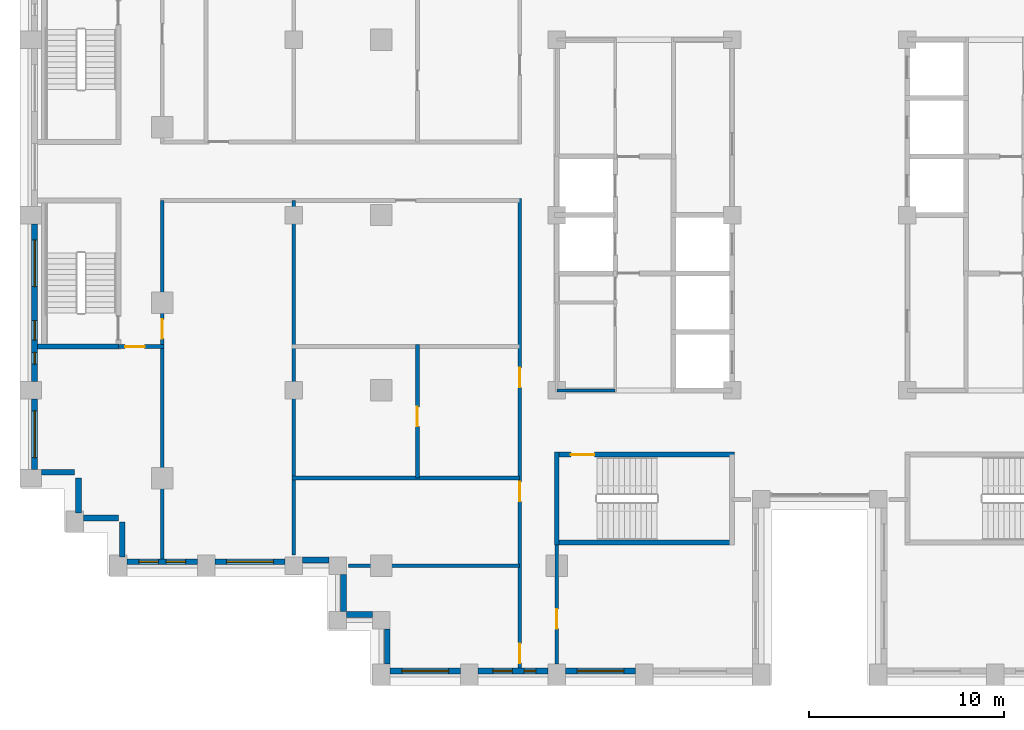
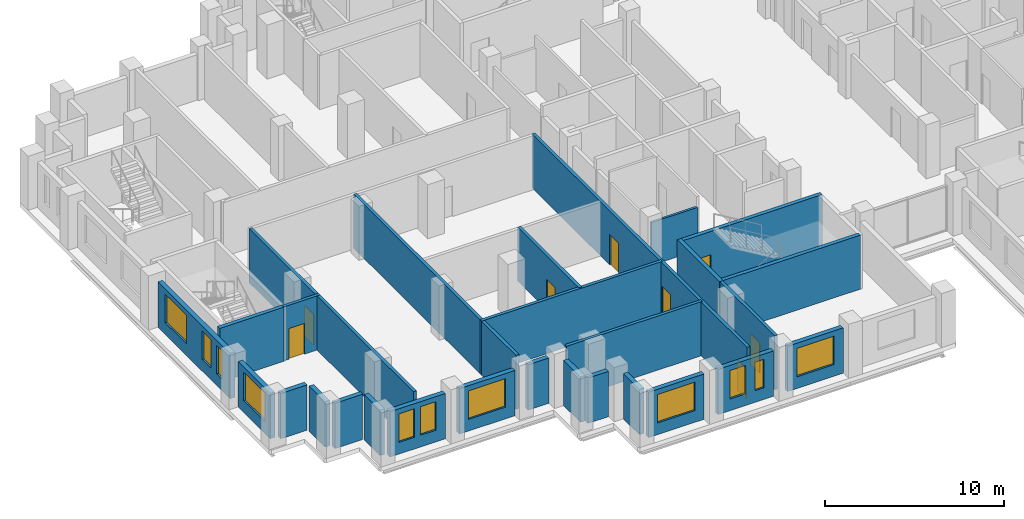
# One storey, part 6 of 15: 28 walls, 11 windows, 8 doors, 19 openings.
"""IFC4 building model written with IfcOpenShell, lengths in metres."""

from ifc_helpers import new_model, si_unit, direction, frame, frame_2d, origin, place, context, subcontext, project, spatial, rectangle, extrude, material, layer, layer_set, type_object, element, fill, save


model = new_model("IFC4")

# Units and contexts
model_context = context("Model", 3, precision=1e-05, world=origin(), true_north=direction((0.0, 1.0)))
body_context = subcontext(model_context, "Body", "Model", "MODEL_VIEW")
ifc_project = project(units=[si_unit("LENGTHUNIT", "METRE"), si_unit("AREAUNIT", "SQUARE_METRE"), si_unit("VOLUMEUNIT", "CUBIC_METRE"), si_unit("PLANEANGLEUNIT", "RADIAN"), si_unit("MASSUNIT", "GRAM", prefix="KILO")], contexts=[model_context])

# Site, building, storey
site_placement = place(None, origin())
site = spatial("IfcSite", under=ifc_project, at=site_placement, CompositionType="ELEMENT")
building_placement = place(site_placement, origin())
building = spatial("IfcBuilding", under=site, at=building_placement, Name="Corbelhall Arena Tower", CompositionType="ELEMENT")
storey_placement = place(building_placement, frame((0.0, 0.0, 166.0)))
storey = spatial("IfcBuildingStorey", under=building, at=storey_placement, Name="L33", CompositionType="ELEMENT", Elevation=166.0)

# Walls
ifc_material_1 = material(Name="Precast concrete C40/50 with granite facing", Category="masonry")
ifc_layer_1 = layer(ifc_material_1, 0.300048828125)
ifc_layer_set_1 = layer_set([ifc_layer_1], Name="EV-IW1 Infill panel 300")
wall_type_1 = type_object("IfcWallType", Name="EV-IW1 Infill panel 300", PredefinedType="SOLIDWALL", material=ifc_layer_set_1)
wall_1_placement = place(storey_placement, frame((-39.949951171875, -13.199951171875, 0.0), z_axis=(0.0, 0.0, 1.0), x_axis=(1.0, 0.0, 0.0)))
element("IfcWall", 1, at=wall_1_placement, inside=storey, type_object=wall_type_1, Name="Infill panel IW1", PredefinedType="SOLIDWALL", context=body_context, shape_type="SweptSolid", body=[
    extrude(rectangle(XDim=1.699951171875, YDim=0.300048828125, at=frame_2d((0.85009765625, 0.0))), origin(), (0.0, 0.0, 1.0), 3.10009765625),
])
for number, where, z_axis, x_axis, name in (
    (2, (-38.050048828125, -15.300048828125, 0.0), (0.0, 0.0, 1.0), (0.0, 1.0, 0.0), "Infill panel IW1"),
    (3, (-37.800048828125, -15.550048828125, 0.0), (0.0, 0.0, 1.0), (1.0, 0.0, 0.0), "Infill panel IW1"),
    (4, (-35.800048828125, -17.550048828125, 0.0), (0.0, 0.0, 1.0), (0.0, 1.0, 0.0), "Infill panel IW1"),
):
    element("IfcWall", number, at=place(storey_placement, frame(where, z_axis=z_axis, x_axis=x_axis)), inside=storey, type_object=wall_type_1, Name=name, PredefinedType="SOLIDWALL", context=body_context, shape_type="SweptSolid", body=[
        extrude(rectangle(XDim=1.800048828125, YDim=0.300048828125, at=frame_2d((0.89990234375, 0.0))), origin(), (0.0, 0.0, 1.0), 3.10009765625),
    ])

# Wall, openings, windows
wall_2_placement = place(storey_placement, frame((-40.300048828125, -0.449951171875, 0.0), z_axis=(0.0, 0.0, 1.0), x_axis=(0.0, -1.0, 0.0)))
wall_2 = element("IfcWall", 5, at=wall_2_placement, inside=storey, type_object=wall_type_1, Name="Infill panel IW1", PredefinedType="SOLIDWALL", context=body_context, shape_type="SweptSolid", body=[
    extrude(rectangle(XDim=8.10009765625, YDim=0.300048828125, at=frame_2d((4.050048828125, 0.0))), origin(), (0.0, 0.0, 1.0), 3.10009765625),
])
opening_1_placement = place(wall_2_placement, frame((0.824951171875, 0.0, 0.800048828125)))
opening_1 = element("IfcOpeningElement", 6, at=opening_1_placement, cuts=wall_2, Name="Opening WN1", PredefinedType="OPENING", context=body_context, shape_type="SweptSolid", body=[
    extrude(rectangle(XDim=2.39990234375, YDim=1.949951171875, at=frame_2d((1.199951171875, 0.97509765625))), frame((0.0, 0.14990234375, 0.0), z_axis=(0.0, -1.0, 0.0), x_axis=(1.0, 0.0, 0.0)), (0.0, 0.0, 1.0), 0.300048828125),
])
opening_2_placement = place(wall_2_placement, frame((4.97509765625, 0.0, 0.800048828125)))
opening_2 = element("IfcOpeningElement", 7, at=opening_2_placement, cuts=wall_2, Name="Opening WN6", PredefinedType="OPENING", context=body_context, shape_type="SweptSolid", body=[
    extrude(rectangle(XDim=1.0, YDim=1.949951171875, at=frame_2d((0.5, 0.97509765625))), frame((0.0, 0.14990234375, 0.0), z_axis=(0.0, -1.0, 0.0), x_axis=(1.0, 0.0, 0.0)), (0.0, 0.0, 1.0), 0.300048828125),
])
opening_3_placement = place(wall_2_placement, frame((6.60009765625, 0.0, 0.800048828125)))
opening_3 = element("IfcOpeningElement", 8, at=opening_3_placement, cuts=wall_2, Name="Opening WN5", PredefinedType="OPENING", context=body_context, shape_type="SweptSolid", body=[
    extrude(rectangle(XDim=0.60009765625, YDim=1.949951171875, at=frame_2d((0.300048828125, 0.97509765625))), frame((0.0, 0.14990234375, 0.0), z_axis=(0.0, -1.0, 0.0), x_axis=(1.0, 0.0, 0.0)), (0.0, 0.0, 1.0), 0.300048828125),
])
ifc_material_2 = material(Name="Aluminium black anodised", Category="aluminium")
window_type_1 = type_object("IfcWindowType", Name="EV-WN1 Office window", PartitioningType="SINGLE_PANEL", PredefinedType="WINDOW", material=ifc_material_2)
window_1_placement = place(opening_1_placement, origin())
window_1 = element("IfcWindow", 9, at=window_1_placement, inside=storey, type_object=window_type_1, Name="Window WN1", OverallHeight=1.949951171875, OverallWidth=2.39990234375, PartitioningType="SINGLE_PANEL", PredefinedType="WINDOW", context=body_context, shape_type="SweptSolid", body=[
    extrude(rectangle(XDim=2.39990234375, YDim=1.949951171875, at=frame_2d((1.199951171875, 0.97509765625))), frame((0.0, 0.030029296875, 0.0), z_axis=(0.0, -1.0, 0.0), x_axis=(1.0, 0.0, 0.0)), (0.0, 0.0, 1.0), 0.06005859375),
])
fill(opening_1, window_1)
window_type_2 = type_object("IfcWindowType", Name="EV-WN5 Office window 600", PartitioningType="SINGLE_PANEL", PredefinedType="WINDOW", material=ifc_material_2)
window_2_placement = place(opening_3_placement, origin())
window_2 = element("IfcWindow", 10, at=window_2_placement, inside=storey, type_object=window_type_2, Name="Window WN5", OverallHeight=1.949951171875, OverallWidth=0.60009765625, PartitioningType="SINGLE_PANEL", PredefinedType="WINDOW", context=body_context, shape_type="SweptSolid", body=[
    extrude(rectangle(XDim=0.60009765625, YDim=1.949951171875, at=frame_2d((0.300048828125, 0.97509765625))), frame((0.0, 0.030029296875, 0.0), z_axis=(0.0, -1.0, 0.0), x_axis=(1.0, 0.0, 0.0)), (0.0, 0.0, 1.0), 0.06005859375),
])
fill(opening_3, window_2)
window_type_3 = type_object("IfcWindowType", Name="EV-WN6 Office window 1000", PartitioningType="SINGLE_PANEL", PredefinedType="WINDOW", material=ifc_material_2)
window_3_placement = place(opening_2_placement, origin())
window_3 = element("IfcWindow", 11, at=window_3_placement, inside=storey, type_object=window_type_3, Name="Window WN6", OverallHeight=1.949951171875, OverallWidth=1.0, PartitioningType="SINGLE_PANEL", PredefinedType="WINDOW", context=body_context, shape_type="SweptSolid", body=[
    extrude(rectangle(XDim=1.0, YDim=1.949951171875, at=frame_2d((0.5, 0.97509765625))), frame((0.0, 0.030029296875, 0.0), z_axis=(0.0, -1.0, 0.0), x_axis=(1.0, 0.0, 0.0)), (0.0, 0.0, 1.0), 0.06005859375),
])
fill(opening_2, window_3)

# Wall, opening, window
wall_3_placement = place(storey_placement, frame((-40.300048828125, -9.449951171875, 0.0), z_axis=(0.0, 0.0, 1.0), x_axis=(0.0, -1.0, 0.0)))
wall_3 = element("IfcWall", 12, at=wall_3_placement, inside=storey, type_object=wall_type_1, Name="Infill panel IW1", PredefinedType="SOLIDWALL", context=body_context, shape_type="SweptSolid", body=[
    extrude(rectangle(XDim=3.60009765625, YDim=0.300048828125, at=frame_2d((1.800048828125, 0.0))), origin(), (0.0, 0.0, 1.0), 3.10009765625),
])
opening_4_placement = place(wall_3_placement, frame((0.60009765625, 0.0, 0.800048828125)))
opening_4 = element("IfcOpeningElement", 13, at=opening_4_placement, cuts=wall_3, Name="Opening WN1", PredefinedType="OPENING", context=body_context, shape_type="SweptSolid", body=[
    extrude(rectangle(XDim=2.39990234375, YDim=1.949951171875, at=frame_2d((1.199951171875, 0.97509765625))), frame((0.0, 0.14990234375, 0.0), z_axis=(0.0, -1.0, 0.0), x_axis=(1.0, 0.0, 0.0)), (0.0, 0.0, 1.0), 0.300048828125),
])
window_4_placement = place(opening_4_placement, origin())
window_4 = element("IfcWindow", 14, at=window_4_placement, inside=storey, type_object=window_type_1, Name="Window WN1", OverallHeight=1.949951171875, OverallWidth=2.39990234375, PartitioningType="SINGLE_PANEL", PredefinedType="WINDOW", context=body_context, shape_type="SweptSolid", body=[
    extrude(rectangle(XDim=2.39990234375, YDim=1.949951171875, at=frame_2d((1.199951171875, 0.97509765625))), frame((0.0, 0.030029296875, 0.0), z_axis=(0.0, -1.0, 0.0), x_axis=(1.0, 0.0, 0.0)), (0.0, 0.0, 1.0), 0.06005859375),
])
fill(opening_4, window_4)

# Wall, openings, windows
wall_4_placement = place(storey_placement, frame((-35.550048828125, -17.800048828125, 0.0), z_axis=(0.0, 0.0, 1.0), x_axis=(1.0, 0.0, 0.0)))
wall_4 = element("IfcWall", 15, at=wall_4_placement, inside=storey, type_object=wall_type_1, Name="Infill panel IW1", PredefinedType="SOLIDWALL", context=body_context, shape_type="SweptSolid", body=[
    extrude(rectangle(XDim=3.60009765625, YDim=0.300048828125, at=frame_2d((1.800048828125, 0.0))), origin(), (0.0, 0.0, 1.0), 3.10009765625),
])
opening_5_placement = place(wall_4_placement, frame((0.60009765625, 0.0, 0.800048828125)))
opening_5 = element("IfcOpeningElement", 16, at=opening_5_placement, cuts=wall_4, Name="Opening WN6", PredefinedType="OPENING", context=body_context, shape_type="SweptSolid", body=[
    extrude(rectangle(XDim=1.0, YDim=1.949951171875, at=frame_2d((0.5, 0.97509765625))), frame((0.0, 0.14990234375, 0.0), z_axis=(0.0, -1.0, 0.0), x_axis=(1.0, 0.0, 0.0)), (0.0, 0.0, 1.0), 0.300048828125),
])
opening_6_placement = place(wall_4_placement, frame((2.0, 0.0, 0.800048828125)))
opening_6 = element("IfcOpeningElement", 17, at=opening_6_placement, cuts=wall_4, Name="Opening WN6", PredefinedType="OPENING", context=body_context, shape_type="SweptSolid", body=[
    extrude(rectangle(XDim=1.0, YDim=1.949951171875, at=frame_2d((0.5, 0.97509765625))), frame((0.0, 0.14990234375, 0.0), z_axis=(0.0, -1.0, 0.0), x_axis=(1.0, 0.0, 0.0)), (0.0, 0.0, 1.0), 0.300048828125),
])
window_5_placement = place(opening_5_placement, origin())
window_5 = element("IfcWindow", 18, at=window_5_placement, inside=storey, type_object=window_type_3, Name="Window WN6", OverallHeight=1.949951171875, OverallWidth=1.0, PartitioningType="SINGLE_PANEL", PredefinedType="WINDOW", context=body_context, shape_type="SweptSolid", body=[
    extrude(rectangle(XDim=1.0, YDim=1.949951171875, at=frame_2d((0.5, 0.97509765625))), frame((0.0, 0.030029296875, 0.0), z_axis=(0.0, -1.0, 0.0), x_axis=(1.0, 0.0, 0.0)), (0.0, 0.0, 1.0), 0.06005859375),
])
fill(opening_5, window_5)
window_6_placement = place(opening_6_placement, origin())
window_6 = element("IfcWindow", 19, at=window_6_placement, inside=storey, type_object=window_type_3, Name="Window WN6", OverallHeight=1.949951171875, OverallWidth=1.0, PartitioningType="SINGLE_PANEL", PredefinedType="WINDOW", context=body_context, shape_type="SweptSolid", body=[
    extrude(rectangle(XDim=1.0, YDim=1.949951171875, at=frame_2d((0.5, 0.97509765625))), frame((0.0, 0.030029296875, 0.0), z_axis=(0.0, -1.0, 0.0), x_axis=(1.0, 0.0, 0.0)), (0.0, 0.0, 1.0), 0.06005859375),
])
fill(opening_6, window_6)

# Wall, opening, window
wall_5_placement = place(storey_placement, frame((-31.050048828125, -17.800048828125, 0.0), z_axis=(0.0, 0.0, 1.0), x_axis=(1.0, 0.0, 0.0)))
wall_5 = element("IfcWall", 20, at=wall_5_placement, inside=storey, type_object=wall_type_1, Name="Infill panel IW1", PredefinedType="SOLIDWALL", context=body_context, shape_type="SweptSolid", body=[
    extrude(rectangle(XDim=3.60009765625, YDim=0.300048828125, at=frame_2d((1.800048828125, 0.0))), origin(), (0.0, 0.0, 1.0), 3.10009765625),
])
opening_7_placement = place(wall_5_placement, frame((0.60009765625, 0.0, 0.800048828125)))
opening_7 = element("IfcOpeningElement", 21, at=opening_7_placement, cuts=wall_5, Name="Opening WN1", PredefinedType="OPENING", context=body_context, shape_type="SweptSolid", body=[
    extrude(rectangle(XDim=2.39990234375, YDim=1.949951171875, at=frame_2d((1.199951171875, 0.97509765625))), frame((0.0, 0.14990234375, 0.0), z_axis=(0.0, -1.0, 0.0), x_axis=(1.0, 0.0, 0.0)), (0.0, 0.0, 1.0), 0.300048828125),
])
window_7_placement = place(opening_7_placement, origin())
window_7 = element("IfcWindow", 22, at=window_7_placement, inside=storey, type_object=window_type_1, Name="Window WN1", OverallHeight=1.949951171875, OverallWidth=2.39990234375, PartitioningType="SINGLE_PANEL", PredefinedType="WINDOW", context=body_context, shape_type="SweptSolid", body=[
    extrude(rectangle(XDim=2.39990234375, YDim=1.949951171875, at=frame_2d((1.199951171875, 0.97509765625))), frame((0.0, 0.030029296875, 0.0), z_axis=(0.0, -1.0, 0.0), x_axis=(1.0, 0.0, 0.0)), (0.0, 0.0, 1.0), 0.06005859375),
])
fill(opening_7, window_7)

# Walls
wall_6_placement = place(storey_placement, frame((-26.550048828125, -17.699951171875, 0.0), z_axis=(0.0, 0.0, 1.0), x_axis=(1.0, 0.0, 0.0)))
element("IfcWall", 23, at=wall_6_placement, inside=storey, type_object=wall_type_1, Name="Infill panel IW1", PredefinedType="SOLIDWALL", context=body_context, shape_type="SweptSolid", body=[
    extrude(rectangle(XDim=1.35009765625, YDim=0.300048828125, at=frame_2d((0.675048828125, 0.0))), origin(), (0.0, 0.0, 1.0), 3.10009765625),
])
wall_7_placement = place(storey_placement, frame((-24.449951171875, -18.449951171875, 0.0), z_axis=(0.0, 0.0, 1.0), x_axis=(0.0, -1.0, 0.0)))
element("IfcWall", 24, at=wall_7_placement, inside=storey, type_object=wall_type_1, Name="Infill panel IW1", PredefinedType="SOLIDWALL", context=body_context, shape_type="SweptSolid", body=[
    extrude(rectangle(XDim=1.900146484375, YDim=0.300048828125, at=frame_2d((0.9501953125, 0.0))), origin(), (0.0, 0.0, 1.0), 3.10009765625),
])
wall_8_placement = place(storey_placement, frame((-24.300048828125, -20.5, 0.0), z_axis=(0.0, 0.0, 1.0), x_axis=(1.0, 0.0, 0.0)))
element("IfcWall", 25, at=wall_8_placement, inside=storey, type_object=wall_type_1, Name="Infill panel IW1", PredefinedType="SOLIDWALL", context=body_context, shape_type="SweptSolid", body=[
    extrude(rectangle(XDim=1.35009765625, YDim=0.300048828125, at=frame_2d((0.675048828125, 0.0))), origin(), (0.0, 0.0, 1.0), 3.10009765625),
])
wall_9_placement = place(storey_placement, frame((-22.199951171875, -21.25, 0.0), z_axis=(0.0, 0.0, 1.0), x_axis=(0.0, -1.0, 0.0)))
element("IfcWall", 26, at=wall_9_placement, inside=storey, type_object=wall_type_1, Name="Infill panel IW1", PredefinedType="SOLIDWALL", context=body_context, shape_type="SweptSolid", body=[
    extrude(rectangle(XDim=1.800048828125, YDim=0.300048828125, at=frame_2d((0.89990234375, 0.0))), origin(), (0.0, 0.0, 1.0), 3.10009765625),
])

# Wall, opening, window
wall_10_placement = place(storey_placement, frame((-22.050048828125, -23.39990234375, 0.0), z_axis=(0.0, 0.0, 1.0), x_axis=(1.0, 0.0, 0.0)))
wall_10 = element("IfcWall", 27, at=wall_10_placement, inside=storey, type_object=wall_type_1, Name="Infill panel IW1", PredefinedType="SOLIDWALL", context=body_context, shape_type="SweptSolid", body=[
    extrude(rectangle(XDim=3.60009765625, YDim=0.300048828125, at=frame_2d((1.800048828125, 0.0))), origin(), (0.0, 0.0, 1.0), 3.10009765625),
])
opening_8_placement = place(wall_10_placement, frame((0.60009765625, 0.0, 0.800048828125)))
opening_8 = element("IfcOpeningElement", 28, at=opening_8_placement, cuts=wall_10, Name="Opening WN1", PredefinedType="OPENING", context=body_context, shape_type="SweptSolid", body=[
    extrude(rectangle(XDim=2.39990234375, YDim=1.949951171875, at=frame_2d((1.199951171875, 0.97509765625))), frame((0.0, 0.14990234375, 0.0), z_axis=(0.0, -1.0, 0.0), x_axis=(1.0, 0.0, 0.0)), (0.0, 0.0, 1.0), 0.300048828125),
])
window_8_placement = place(opening_8_placement, origin())
window_8 = element("IfcWindow", 29, at=window_8_placement, inside=storey, type_object=window_type_1, Name="Window WN1", OverallHeight=1.949951171875, OverallWidth=2.39990234375, PartitioningType="SINGLE_PANEL", PredefinedType="WINDOW", context=body_context, shape_type="SweptSolid", body=[
    extrude(rectangle(XDim=2.39990234375, YDim=1.949951171875, at=frame_2d((1.199951171875, 0.97509765625))), frame((0.0, 0.030029296875, 0.0), z_axis=(0.0, -1.0, 0.0), x_axis=(1.0, 0.0, 0.0)), (0.0, 0.0, 1.0), 0.06005859375),
])
fill(opening_8, window_8)

# Wall, openings, windows
wall_11_placement = place(storey_placement, frame((-17.550048828125, -23.39990234375, 0.0), z_axis=(0.0, 0.0, 1.0), x_axis=(1.0, 0.0, 0.0)))
wall_11 = element("IfcWall", 30, at=wall_11_placement, inside=storey, type_object=wall_type_1, Name="Infill panel IW1", PredefinedType="SOLIDWALL", context=body_context, shape_type="SweptSolid", body=[
    extrude(rectangle(XDim=3.60009765625, YDim=0.300048828125, at=frame_2d((1.800048828125, 0.0))), origin(), (0.0, 0.0, 1.0), 3.10009765625),
])
opening_9_placement = place(wall_11_placement, frame((0.77490234375, 0.0, 0.800048828125)))
opening_9 = element("IfcOpeningElement", 31, at=opening_9_placement, cuts=wall_11, Name="Opening WN6", PredefinedType="OPENING", context=body_context, shape_type="SweptSolid", body=[
    extrude(rectangle(XDim=1.0, YDim=1.949951171875, at=frame_2d((0.5, 0.97509765625))), frame((0.0, 0.14990234375, 0.0), z_axis=(0.0, -1.0, 0.0), x_axis=(1.0, 0.0, 0.0)), (0.0, 0.0, 1.0), 0.300048828125),
])
opening_10_placement = place(wall_11_placement, frame((2.375, 0.0, 0.800048828125)))
opening_10 = element("IfcOpeningElement", 32, at=opening_10_placement, cuts=wall_11, Name="Opening WN5", PredefinedType="OPENING", context=body_context, shape_type="SweptSolid", body=[
    extrude(rectangle(XDim=0.60009765625, YDim=1.949951171875, at=frame_2d((0.300048828125, 0.97509765625))), frame((0.0, 0.14990234375, 0.0), z_axis=(0.0, -1.0, 0.0), x_axis=(1.0, 0.0, 0.0)), (0.0, 0.0, 1.0), 0.300048828125),
])
window_9_placement = place(opening_10_placement, origin())
window_9 = element("IfcWindow", 33, at=window_9_placement, inside=storey, type_object=window_type_2, Name="Window WN5", OverallHeight=1.949951171875, OverallWidth=0.60009765625, PartitioningType="SINGLE_PANEL", PredefinedType="WINDOW", context=body_context, shape_type="SweptSolid", body=[
    extrude(rectangle(XDim=0.60009765625, YDim=1.949951171875, at=frame_2d((0.300048828125, 0.97509765625))), frame((0.0, 0.030029296875, 0.0), z_axis=(0.0, -1.0, 0.0), x_axis=(1.0, 0.0, 0.0)), (0.0, 0.0, 1.0), 0.06005859375),
])
fill(opening_10, window_9)
window_10_placement = place(opening_9_placement, origin())
window_10 = element("IfcWindow", 34, at=window_10_placement, inside=storey, type_object=window_type_3, Name="Window WN6", OverallHeight=1.949951171875, OverallWidth=1.0, PartitioningType="SINGLE_PANEL", PredefinedType="WINDOW", context=body_context, shape_type="SweptSolid", body=[
    extrude(rectangle(XDim=1.0, YDim=1.949951171875, at=frame_2d((0.5, 0.97509765625))), frame((0.0, 0.030029296875, 0.0), z_axis=(0.0, -1.0, 0.0), x_axis=(1.0, 0.0, 0.0)), (0.0, 0.0, 1.0), 0.06005859375),
])
fill(opening_9, window_10)

# Wall, opening, window
wall_12_placement = place(storey_placement, frame((-13.050048828125, -23.39990234375, 0.0), z_axis=(0.0, 0.0, 1.0), x_axis=(1.0, 0.0, 0.0)))
wall_12 = element("IfcWall", 35, at=wall_12_placement, inside=storey, type_object=wall_type_1, Name="Infill panel IW1", PredefinedType="SOLIDWALL", context=body_context, shape_type="SweptSolid", body=[
    extrude(rectangle(XDim=3.60009765625, YDim=0.300048828125, at=frame_2d((1.800048828125, 0.0))), origin(), (0.0, 0.0, 1.0), 3.10009765625),
])
opening_11_placement = place(wall_12_placement, frame((0.60009765625, 0.0, 0.800048828125)))
opening_11 = element("IfcOpeningElement", 36, at=opening_11_placement, cuts=wall_12, Name="Opening WN1", PredefinedType="OPENING", context=body_context, shape_type="SweptSolid", body=[
    extrude(rectangle(XDim=2.39990234375, YDim=1.949951171875, at=frame_2d((1.199951171875, 0.97509765625))), frame((0.0, 0.14990234375, 0.0), z_axis=(0.0, -1.0, 0.0), x_axis=(1.0, 0.0, 0.0)), (0.0, 0.0, 1.0), 0.300048828125),
])
window_11_placement = place(opening_11_placement, origin())
window_11 = element("IfcWindow", 37, at=window_11_placement, inside=storey, type_object=window_type_1, Name="Window WN1", OverallHeight=1.949951171875, OverallWidth=2.39990234375, PartitioningType="SINGLE_PANEL", PredefinedType="WINDOW", context=body_context, shape_type="SweptSolid", body=[
    extrude(rectangle(XDim=2.39990234375, YDim=1.949951171875, at=frame_2d((1.199951171875, 0.97509765625))), frame((0.0, 0.030029296875, 0.0), z_axis=(0.0, -1.0, 0.0), x_axis=(1.0, 0.0, 0.0)), (0.0, 0.0, 1.0), 0.06005859375),
])
fill(opening_11, window_11)

# Wall, opening, door
ifc_material_3 = material(Name="Gypsum board on steel stud, acoustic", Category="steel")
ifc_layer_2 = layer(ifc_material_3, 0.199951171875)
ifc_layer_set_2 = layer_set([ifc_layer_2], Name="IN-W-DM200")
wall_type_2 = type_object("IfcWallType", Name="IN-W-DM200", PredefinedType="PARTITIONING", material=ifc_layer_set_2)
wall_13_placement = place(storey_placement, frame((-33.75, 0.75, 0.0), z_axis=(0.0, 0.0, 1.0), x_axis=(0.0, -1.0, 0.0)))
wall_13 = element("IfcWall", 38, at=wall_13_placement, inside=storey, type_object=wall_type_2, Name="Partition 003", PredefinedType="PARTITIONING", context=body_context, shape_type="SweptSolid", body=[
    extrude(rectangle(XDim=18.39990234375, YDim=0.199951171875, at=frame_2d((9.199951171875, 0.0))), origin(), (0.0, 0.0, 1.0), 3.699951171875),
])
opening_12_placement = place(wall_13_placement, frame((6.10009765625, 0.0, 0.0)))
opening_12 = element("IfcOpeningElement", 39, at=opening_12_placement, cuts=wall_13, Name="Opening 09042", PredefinedType="OPENING", context=body_context, shape_type="SweptSolid", body=[
    extrude(rectangle(XDim=1.0, YDim=2.10009765625, at=frame_2d((0.5, 1.050048828125))), frame((0.0, 0.10009765625, 0.0), z_axis=(0.0, -1.0, 0.0), x_axis=(1.0, 0.0, 0.0)), (0.0, 0.0, 1.0), 0.199951171875),
])
ifc_material_4 = material(Name="Steel door set", Category="steel")
door_type_1 = type_object("IfcDoorType", Name="IN-D-SW100", OperationType="NOTDEFINED", PredefinedType="DOOR", material=ifc_material_4)
door_1_placement = place(opening_12_placement, origin())
door_1 = element("IfcDoor", 40, at=door_1_placement, inside=storey, type_object=door_type_1, Name="Door 042", OperationType="SINGLE_SWING_LEFT", OverallHeight=2.10009765625, OverallWidth=1.0, PredefinedType="DOOR", context=body_context, shape_type="SweptSolid", body=[
    extrude(rectangle(XDim=1.0, YDim=2.10009765625, at=frame_2d((0.5, 1.050048828125))), frame((0.0, 0.02490234375, 0.0), z_axis=(0.0, -1.0, 0.0), x_axis=(1.0, 0.0, 0.0)), (0.0, 0.0, 1.0), 0.050048828125),
])
fill(opening_12, door_1)

wall_14_placement = place(storey_placement, frame((-33.64990234375, -6.75, 0.0), z_axis=(0.0, 0.0, 1.0), x_axis=(-1.0, 0.0, 0.0)))
wall_14 = element("IfcWall", 41, at=wall_14_placement, inside=storey, type_object=wall_type_2, Name="Partition 005", PredefinedType="PARTITIONING", context=body_context, shape_type="SweptSolid", body=[
    extrude(rectangle(XDim=2.35009765625, YDim=0.199951171875, at=frame_2d((1.175048828125, 0.0))), origin(), (0.0, 0.0, 1.0), 3.699951171875),
])
opening_13_placement = place(wall_14_placement, frame((1.0, 0.0, 0.0)))
opening_13 = element("IfcOpeningElement", 42, at=opening_13_placement, cuts=wall_14, Name="Opening 09041", PredefinedType="OPENING", context=body_context, shape_type="SweptSolid", body=[
    extrude(rectangle(XDim=1.0, YDim=2.10009765625, at=frame_2d((0.5, 1.050048828125))), frame((0.0, 0.10009765625, 0.0), z_axis=(0.0, -1.0, 0.0), x_axis=(1.0, 0.0, 0.0)), (0.0, 0.0, 1.0), 0.199951171875),
])
door_2_placement = place(opening_13_placement, origin())
door_2 = element("IfcDoor", 43, at=door_2_placement, inside=storey, type_object=door_type_1, Name="Door 041", OperationType="SINGLE_SWING_RIGHT", OverallHeight=2.10009765625, OverallWidth=1.0, PredefinedType="DOOR", context=body_context, shape_type="SweptSolid", body=[
    extrude(rectangle(XDim=1.0, YDim=2.10009765625, at=frame_2d((0.5, 1.050048828125))), frame((0.0, 0.02490234375, 0.0), z_axis=(0.0, -1.0, 0.0), x_axis=(1.0, 0.0, 0.0)), (0.0, 0.0, 1.0), 0.050048828125),
])
fill(opening_13, door_2)

# Walls
wall_15_placement = place(storey_placement, frame((-27.10009765625, -13.5, 0.0), z_axis=(0.0, 0.0, 1.0), x_axis=(1.0, 0.0, 0.0)))
element("IfcWall", 44, at=wall_15_placement, inside=storey, type_object=wall_type_2, Name="Partition 007", PredefinedType="PARTITIONING", context=body_context, shape_type="SweptSolid", body=[
    extrude(rectangle(XDim=11.7001953125, YDim=0.199951171875, at=frame_2d((5.85009765625, 0.0))), origin(), (0.0, 0.0, 1.0), 3.699951171875),
])
wall_16_placement = place(storey_placement, frame((-27.0, -17.449951171875, 0.0), z_axis=(0.0, 0.0, 1.0), x_axis=(0.0, 1.0, 0.0)))
element("IfcWall", 45, at=wall_16_placement, inside=storey, type_object=wall_type_2, Name="Partition 009", PredefinedType="PARTITIONING", context=body_context, shape_type="SweptSolid", body=[
    extrude(rectangle(XDim=18.199951171875, YDim=0.199951171875, at=frame_2d((9.10009765625, 0.0))), origin(), (0.0, 0.0, 1.0), 3.699951171875),
])
wall_17_placement = place(storey_placement, frame((-24.199951171875, -18.0, 0.0), z_axis=(0.0, 0.0, 1.0), x_axis=(1.0, 0.0, 0.0)))
element("IfcWall", 46, at=wall_17_placement, inside=storey, type_object=wall_type_2, Name="Partition 012", PredefinedType="PARTITIONING", context=body_context, shape_type="SweptSolid", body=[
    extrude(rectangle(XDim=8.800048828125, YDim=0.199951171875, at=frame_2d((4.39990234375, 0.0))), origin(), (0.0, 0.0, 1.0), 3.699951171875),
])

# Wall, opening, door
wall_18_placement = place(storey_placement, frame((-20.64990234375, -13.5, 0.0), z_axis=(0.0, 0.0, 1.0), x_axis=(0.0, 1.0, 0.0)))
wall_18 = element("IfcWall", 47, at=wall_18_placement, inside=storey, type_object=wall_type_2, Name="Partition 015", PredefinedType="PARTITIONING", context=body_context, shape_type="SweptSolid", body=[
    extrude(rectangle(XDim=6.85009765625, YDim=0.199951171875, at=frame_2d((3.425048828125, 0.0))), origin(), (0.0, 0.0, 1.0), 3.699951171875),
])
opening_14_placement = place(wall_18_placement, frame((2.64990234375, 0.0, 0.0)))
opening_14 = element("IfcOpeningElement", 48, at=opening_14_placement, cuts=wall_18, Name="Opening 09029", PredefinedType="OPENING", context=body_context, shape_type="SweptSolid", body=[
    extrude(rectangle(XDim=1.0, YDim=2.10009765625, at=frame_2d((0.5, 1.050048828125))), frame((0.0, 0.10009765625, 0.0), z_axis=(0.0, -1.0, 0.0), x_axis=(1.0, 0.0, 0.0)), (0.0, 0.0, 1.0), 0.199951171875),
])
door_3_placement = place(opening_14_placement, origin())
door_3 = element("IfcDoor", 49, at=door_3_placement, inside=storey, type_object=door_type_1, Name="Door 029", OperationType="SINGLE_SWING_RIGHT", OverallHeight=2.10009765625, OverallWidth=1.0, PredefinedType="DOOR", context=body_context, shape_type="SweptSolid", body=[
    extrude(rectangle(XDim=1.0, YDim=2.10009765625, at=frame_2d((0.5, 1.050048828125))), frame((0.0, 0.02490234375, 0.0), z_axis=(0.0, -1.0, 0.0), x_axis=(1.0, 0.0, 0.0)), (0.0, 0.0, 1.0), 0.050048828125),
])
fill(opening_14, door_3)

# Wall, openings, doors
wall_19_placement = place(storey_placement, frame((-15.39990234375, -23.25, 0.0), z_axis=(0.0, 0.0, 1.0), x_axis=(0.0, 1.0, 0.0)))
wall_19 = element("IfcWall", 50, at=wall_19_placement, inside=storey, type_object=wall_type_2, Name="Partition 018", PredefinedType="PARTITIONING", context=body_context, shape_type="SweptSolid", body=[
    extrude(rectangle(XDim=24.10009765625, YDim=0.199951171875, at=frame_2d((12.050048828125, 0.0))), origin(), (0.0, 0.0, 1.0), 3.699951171875),
])
opening_15_placement = place(wall_19_placement, frame((0.25, 0.0, 0.0)))
opening_15 = element("IfcOpeningElement", 51, at=opening_15_placement, cuts=wall_19, Name="Opening 09026", PredefinedType="OPENING", context=body_context, shape_type="SweptSolid", body=[
    extrude(rectangle(XDim=1.0, YDim=2.10009765625, at=frame_2d((0.5, 1.050048828125))), frame((0.0, 0.10009765625, 0.0), z_axis=(0.0, -1.0, 0.0), x_axis=(1.0, 0.0, 0.0)), (0.0, 0.0, 1.0), 0.199951171875),
])
opening_16_placement = place(wall_19_placement, frame((8.550048828125, 0.0, 0.0)))
opening_16 = element("IfcOpeningElement", 52, at=opening_16_placement, cuts=wall_19, Name="Opening 09027", PredefinedType="OPENING", context=body_context, shape_type="SweptSolid", body=[
    extrude(rectangle(XDim=1.0, YDim=2.10009765625, at=frame_2d((0.5, 1.050048828125))), frame((0.0, 0.10009765625, 0.0), z_axis=(0.0, -1.0, 0.0), x_axis=(1.0, 0.0, 0.0)), (0.0, 0.0, 1.0), 0.199951171875),
])
opening_17_placement = place(wall_19_placement, frame((14.39990234375, 0.0, 0.0)))
opening_17 = element("IfcOpeningElement", 53, at=opening_17_placement, cuts=wall_19, Name="Opening 09028", PredefinedType="OPENING", context=body_context, shape_type="SweptSolid", body=[
    extrude(rectangle(XDim=1.0, YDim=2.10009765625, at=frame_2d((0.5, 1.050048828125))), frame((0.0, 0.10009765625, 0.0), z_axis=(0.0, -1.0, 0.0), x_axis=(1.0, 0.0, 0.0)), (0.0, 0.0, 1.0), 0.199951171875),
])
door_4_placement = place(opening_15_placement, origin())
door_4 = element("IfcDoor", 54, at=door_4_placement, inside=storey, type_object=door_type_1, Name="Door 026", OperationType="SINGLE_SWING_LEFT", OverallHeight=2.10009765625, OverallWidth=1.0, PredefinedType="DOOR", context=body_context, shape_type="SweptSolid", body=[
    extrude(rectangle(XDim=1.0, YDim=2.10009765625, at=frame_2d((0.5, 1.050048828125))), frame((0.0, 0.02490234375, 0.0), z_axis=(0.0, -1.0, 0.0), x_axis=(1.0, 0.0, 0.0)), (0.0, 0.0, 1.0), 0.050048828125),
])
fill(opening_15, door_4)
door_5_placement = place(opening_16_placement, origin())
door_5 = element("IfcDoor", 55, at=door_5_placement, inside=storey, type_object=door_type_1, Name="Door 027", OperationType="SINGLE_SWING_RIGHT", OverallHeight=2.10009765625, OverallWidth=1.0, PredefinedType="DOOR", context=body_context, shape_type="SweptSolid", body=[
    extrude(rectangle(XDim=1.0, YDim=2.10009765625, at=frame_2d((0.5, 1.050048828125))), frame((0.0, 0.02490234375, 0.0), z_axis=(0.0, -1.0, 0.0), x_axis=(1.0, 0.0, 0.0)), (0.0, 0.0, 1.0), 0.050048828125),
])
fill(opening_16, door_5)
door_6_placement = place(opening_17_placement, origin())
door_6 = element("IfcDoor", 56, at=door_6_placement, inside=storey, type_object=door_type_1, Name="Door 028", OperationType="SINGLE_SWING_LEFT", OverallHeight=2.10009765625, OverallWidth=1.0, PredefinedType="DOOR", context=body_context, shape_type="SweptSolid", body=[
    extrude(rectangle(XDim=1.0, YDim=2.10009765625, at=frame_2d((0.5, 1.050048828125))), frame((0.0, 0.02490234375, 0.0), z_axis=(0.0, -1.0, 0.0), x_axis=(1.0, 0.0, 0.0)), (0.0, 0.0, 1.0), 0.050048828125),
])
fill(opening_17, door_6)

# Wall, opening, door
wall_20_placement = place(storey_placement, frame((-13.5, -16.675048828125, 0.0), z_axis=(0.0, 0.0, 1.0), x_axis=(0.0, -1.0, 0.0)))
wall_20 = element("IfcWall", 57, at=wall_20_placement, inside=storey, type_object=wall_type_2, Name="Partition 022", PredefinedType="PARTITIONING", context=body_context, shape_type="SweptSolid", body=[
    extrude(rectangle(XDim=6.375, YDim=0.199951171875, at=frame_2d((3.1875, 0.0))), origin(), (0.0, 0.0, 1.0), 3.699951171875),
])
opening_18_placement = place(wall_20_placement, frame((3.550048828125, 0.0, 0.0)))
opening_18 = element("IfcOpeningElement", 58, at=opening_18_placement, cuts=wall_20, Name="Opening 09022", PredefinedType="OPENING", context=body_context, shape_type="SweptSolid", body=[
    extrude(rectangle(XDim=1.0, YDim=2.10009765625, at=frame_2d((0.5, 1.050048828125))), frame((0.0, 0.10009765625, 0.0), z_axis=(0.0, -1.0, 0.0), x_axis=(1.0, 0.0, 0.0)), (0.0, 0.0, 1.0), 0.199951171875),
])
door_7_placement = place(opening_18_placement, origin())
door_7 = element("IfcDoor", 59, at=door_7_placement, inside=storey, type_object=door_type_1, Name="Door 022", OperationType="SINGLE_SWING_LEFT", OverallHeight=2.10009765625, OverallWidth=1.0, PredefinedType="DOOR", context=body_context, shape_type="SweptSolid", body=[
    extrude(rectangle(XDim=1.0, YDim=2.10009765625, at=frame_2d((0.5, 1.050048828125))), frame((0.0, 0.02490234375, 0.0), z_axis=(0.0, -1.0, 0.0), x_axis=(1.0, 0.0, 0.0)), (0.0, 0.0, 1.0), 0.050048828125),
])
fill(opening_18, door_7)

# Walls
ifc_material_5 = material(Name="Concrete C40/50", Category="concrete")
ifc_layer_3 = layer(ifc_material_5, 0.25)
ifc_layer_set_3 = layer_set([ifc_layer_3], Name="IN-W-ST250")
wall_type_3 = type_object("IfcWallType", Name="IN-W-ST250", PredefinedType="SOLIDWALL", material=ifc_layer_set_3)
wall_21_placement = place(storey_placement, frame((-36.0, -6.75, 0.0), z_axis=(0.0, 0.0, 1.0), x_axis=(-1.0, 0.0, 0.0)))
element("IfcWall", 60, at=wall_21_placement, inside=storey, type_object=wall_type_3, Name="Shaft wall 080", PredefinedType="SOLIDWALL", context=body_context, shape_type="SweptSolid", body=[
    extrude(rectangle(XDim=4.14990234375, YDim=0.25, at=frame_2d((2.074951171875, 0.0))), origin(), (0.0, 0.0, 1.0), 3.699951171875),
])
wall_22_placement = place(storey_placement, frame((-13.5, -12.175048828125, 0.0), z_axis=(0.0, 0.0, 1.0), x_axis=(0.0, -1.0, 0.0)))
element("IfcWall", 61, at=wall_22_placement, inside=storey, type_object=wall_type_3, Name="Shaft wall 084", PredefinedType="SOLIDWALL", context=body_context, shape_type="SweptSolid", body=[
    extrude(rectangle(XDim=4.75, YDim=0.25, at=frame_2d((2.375, 0.0))), origin(), (0.0, 0.0, 1.0), 3.699951171875),
])
wall_23_placement = place(storey_placement, frame((-4.5, -16.800048828125, 0.0), z_axis=(0.0, 0.0, 1.0), x_axis=(-1.0, 0.0, 0.0)))
element("IfcWall", 62, at=wall_23_placement, inside=storey, type_object=wall_type_3, Name="Shaft wall 088", PredefinedType="SOLIDWALL", context=body_context, shape_type="SweptSolid", body=[
    extrude(rectangle(XDim=9.0, YDim=0.25, at=frame_2d((4.5, 0.0))), origin(), (0.0, 0.0, 1.0), 3.699951171875),
])

# Wall, opening, door
wall_24_placement = place(storey_placement, frame((-4.375, -12.300048828125, 0.0), z_axis=(0.0, 0.0, 1.0), x_axis=(-1.0, 0.0, 0.0)))
wall_24 = element("IfcWall", 63, at=wall_24_placement, inside=storey, type_object=wall_type_3, Name="Shaft wall 091", PredefinedType="SOLIDWALL", context=body_context, shape_type="SweptSolid", body=[
    extrude(rectangle(XDim=9.125, YDim=0.25, at=frame_2d((4.5625, 0.0))), origin(), (0.0, 0.0, 1.0), 3.699951171875),
])
opening_19_placement = place(wall_24_placement, frame((7.199951171875, 0.0, 0.0)))
opening_19 = element("IfcOpeningElement", 64, at=opening_19_placement, cuts=wall_24, Name="Opening 09013", PredefinedType="OPENING", context=body_context, shape_type="SweptSolid", body=[
    extrude(rectangle(XDim=1.199951171875, YDim=2.10009765625, at=frame_2d((0.60009765625, 1.050048828125))), frame((0.0, 0.125, 0.0), z_axis=(0.0, -1.0, 0.0), x_axis=(1.0, 0.0, 0.0)), (0.0, 0.0, 1.0), 0.25),
])
door_type_2 = type_object("IfcDoorType", Name="IN-D-ST120", OperationType="NOTDEFINED", PredefinedType="DOOR", material=ifc_material_4)
door_8_placement = place(opening_19_placement, origin())
door_8 = element("IfcDoor", 65, at=door_8_placement, inside=storey, type_object=door_type_2, Name="Door 013", OperationType="SINGLE_SWING_RIGHT", OverallHeight=2.10009765625, OverallWidth=1.199951171875, PredefinedType="DOOR", context=body_context, shape_type="SweptSolid", body=[
    extrude(rectangle(XDim=1.199951171875, YDim=2.10009765625, at=frame_2d((0.60009765625, 1.050048828125))), frame((0.0, 0.02490234375, 0.0), z_axis=(0.0, -1.0, 0.0), x_axis=(1.0, 0.0, 0.0)), (0.0, 0.0, 1.0), 0.050048828125),
])
fill(opening_19, door_8)

# Wall
ifc_material_6 = material(Name="Gypsum board on steel stud, moisture resistant", Category="steel")
ifc_layer_4 = layer(ifc_material_6, 0.14990234375)
ifc_layer_set_4 = layer_set([ifc_layer_4], Name="IN-W-WC150 under beam 762 mm")
wall_type_4 = type_object("IfcWallType", Name="IN-W-WC150 under beam 762 mm", PredefinedType="PARTITIONING", material=ifc_layer_set_4)
wall_25_placement = place(storey_placement, frame((-10.5, -9.0, 0.0), z_axis=(0.0, 0.0, 1.0), x_axis=(-1.0, 0.0, 0.0)))
element("IfcWall", 66, at=wall_25_placement, inside=storey, type_object=wall_type_4, Name="Partition 111", PredefinedType="PARTITIONING", context=body_context, shape_type="SweptSolid", body=[
    extrude(rectangle(XDim=3.0, YDim=0.14990234375, at=frame_2d((1.5, 0.0))), origin(), (0.0, 0.0, 1.0), 2.93798828125),
])

save(model, "model.ifc")
